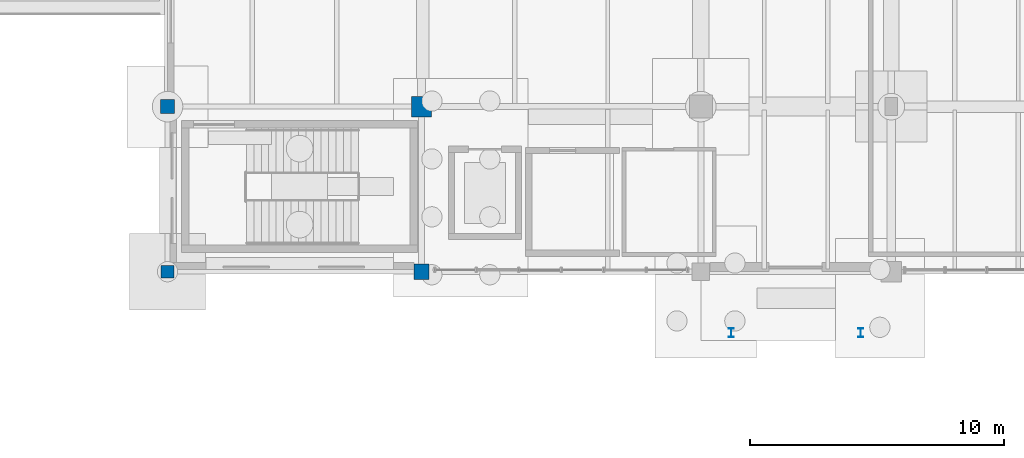
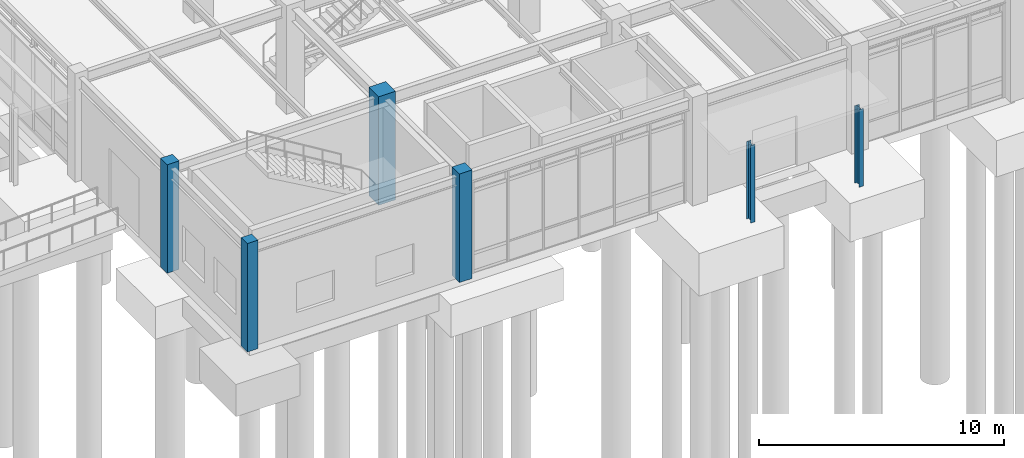
# One storey, part 7 of 203: 6 columns.
"""IFC4 building model written with IfcOpenShell, lengths in metres."""

from ifc_helpers import new_model, si_unit, direction, frame, origin, origin_2d, place, context, subcontext, project, spatial, rectangle, i_section, extrude, material, material_profile, profile_set, type_object, element, save


model = new_model("IFC4")

# Units and contexts
model_context = context("Model", 3, precision=1e-05, world=origin(), true_north=direction((0.0, 1.0)))
body_context = subcontext(model_context, "Body", "Model", "MODEL_VIEW")
ifc_project = project(units=[si_unit("LENGTHUNIT", "METRE"), si_unit("AREAUNIT", "SQUARE_METRE"), si_unit("VOLUMEUNIT", "CUBIC_METRE"), si_unit("PLANEANGLEUNIT", "RADIAN"), si_unit("MASSUNIT", "GRAM", prefix="KILO"), si_unit("THERMODYNAMICTEMPERATUREUNIT", "KELVIN"), si_unit("POWERUNIT", "WATT")], contexts=[model_context])

# Site, building, storey
site_placement = place(None, origin())
site = spatial("IfcSite", under=ifc_project, at=site_placement, CompositionType="ELEMENT")
building_placement = place(site_placement, origin())
building = spatial("IfcBuilding", under=site, at=building_placement, Name="Tepalcoro Natatorium and Aquatics Centre", CompositionType="ELEMENT")
storey_placement = place(building_placement, origin())
storey = spatial("IfcBuildingStorey", under=building, at=storey_placement, Name="L00", CompositionType="ELEMENT", Elevation=0.0)

# Columns
ifc_material_1 = material(Name="Steel ASTM A992 Grade 50 (Fy 345 MPa)", Category="steel")
ifc_material_profile_1 = material_profile(ifc_material_1, i_section(OverallWidth=0.205078125, OverallDepth=0.35302734375, WebThickness=0.009033203125, FlangeThickness=0.01708984375, FilletRadius=0.013916015625, at=origin_2d()), Name="W14X53")
ifc_profile_set_1 = profile_set([ifc_material_profile_1], Name="Steel ASTM A992 Grade 50 (Fy 345 MPa)")
column_type_1 = type_object("IfcColumnType", Name="COL_CHS324x16", PredefinedType="COLUMN", material=ifc_profile_set_1)
for number, where, z_axis, x_axis, name in (
    (1, (22.199951171875, 4.10009765625, 0.0), (0.0, 0.0, 1.0), (1.0, 0.0, 0.0), "Canopy Support Post CN_V3_S1-1"),
    (2, (27.300048828125, 4.10009765625, 0.0), (0.0, 0.0, 1.0), (1.0, 0.0, 0.0), "Canopy Support Post CN_V3_S1-2"),
):
    element("IfcColumn", number, at=place(storey_placement, frame(where, z_axis=z_axis, x_axis=x_axis)), inside=storey, type_object=column_type_1, Name=name, PredefinedType="COLUMN", context=body_context, shape_type="SweptSolid", body=[
        extrude(i_section(OverallWidth=0.205078125, OverallDepth=0.35302734375, WebThickness=0.009033203125, FlangeThickness=0.01708984375, FilletRadius=0.013916015625, at=origin_2d()), origin(), (0.0, 0.0, 1.0), 3.85009765625),
    ])
ifc_material_2 = material(Name="Concrete C40/50 (fc 40 MPa)", Category="concrete")
ifc_material_profile_2 = material_profile(ifc_material_2, rectangle(XDim=0.5, YDim=0.5, at=origin_2d()), Name="RC500x500")
ifc_profile_set_2 = profile_set([ifc_material_profile_2], Name="Concrete C40/50 (fc 40 MPa)")
column_type_2 = type_object("IfcColumnType", Name="COL_RC_500x500", PredefinedType="COLUMN", material=ifc_profile_set_2)
column_1_placement = place(storey_placement, frame((0.0, 6.5, 0.0), z_axis=(0.0, 0.0, 1.0), x_axis=(1.0, 0.0, 0.0)))
element("IfcColumn", 3, at=column_1_placement, inside=storey, type_object=column_type_2, Name="V3 L00 Grid Column (0.0, 6.5)", PredefinedType="COLUMN", context=body_context, shape_type="SweptSolid", body=[
    extrude(rectangle(XDim=0.5, YDim=0.5, at=origin_2d()), origin(), (0.0, 0.0, 1.0), 5.39990234375),
])
ifc_material_profile_3 = material_profile(ifc_material_2, rectangle(XDim=0.550048828125, YDim=0.550048828125, at=origin_2d()), Name="RC550x550")
ifc_profile_set_3 = profile_set([ifc_material_profile_3], Name="Concrete C40/50 (fc 40 MPa)")
column_type_3 = type_object("IfcColumnType", Name="COL_RC_550x550", PredefinedType="COLUMN", material=ifc_profile_set_3)
column_2_placement = place(storey_placement, frame((0.0, 13.0, 0.0), z_axis=(0.0, 0.0, 1.0), x_axis=(1.0, 0.0, 0.0)))
element("IfcColumn", 4, at=column_2_placement, inside=storey, type_object=column_type_3, Name="V3 L00 Grid Column (0.0, 13.0)", PredefinedType="COLUMN", context=body_context, shape_type="SweptSolid", body=[
    extrude(rectangle(XDim=0.550048828125, YDim=0.550048828125, at=origin_2d()), origin(), (0.0, 0.0, 1.0), 5.39990234375),
])
ifc_material_profile_4 = material_profile(ifc_material_2, rectangle(XDim=0.60009765625, YDim=0.60009765625, at=origin_2d()), Name="RC600x600")
ifc_profile_set_4 = profile_set([ifc_material_profile_4], Name="Concrete C40/50 (fc 40 MPa)")
column_type_4 = type_object("IfcColumnType", Name="COL_RC_600x600", PredefinedType="COLUMN", material=ifc_profile_set_4)
column_3_placement = place(storey_placement, frame((10.0, 6.5, 0.0), z_axis=(0.0, 0.0, 1.0), x_axis=(1.0, 0.0, 0.0)))
element("IfcColumn", 5, at=column_3_placement, inside=storey, type_object=column_type_4, Name="V3 L00 Grid Column (10.0, 6.5)", PredefinedType="COLUMN", context=body_context, shape_type="SweptSolid", body=[
    extrude(rectangle(XDim=0.60009765625, YDim=0.60009765625, at=origin_2d()), origin(), (0.0, 0.0, 1.0), 5.39990234375),
])
ifc_material_profile_5 = material_profile(ifc_material_2, rectangle(XDim=0.800048828125, YDim=0.800048828125, at=origin_2d()), Name="RC800x800")
ifc_profile_set_5 = profile_set([ifc_material_profile_5], Name="Concrete C40/50 (fc 40 MPa)")
column_type_5 = type_object("IfcColumnType", Name="COL_RC_800x800", PredefinedType="COLUMN", material=ifc_profile_set_5)
column_4_placement = place(storey_placement, frame((10.0, 13.0, 0.0), z_axis=(0.0, 0.0, 1.0), x_axis=(1.0, 0.0, 0.0)))
element("IfcColumn", 6, at=column_4_placement, inside=storey, type_object=column_type_5, Name="V3 L00 Grid Column (10.0, 13.0)", PredefinedType="COLUMN", context=body_context, shape_type="SweptSolid", body=[
    extrude(rectangle(XDim=0.800048828125, YDim=0.800048828125, at=origin_2d()), origin(), (0.0, 0.0, 1.0), 5.39990234375),
])

save(model, "model.ifc")
